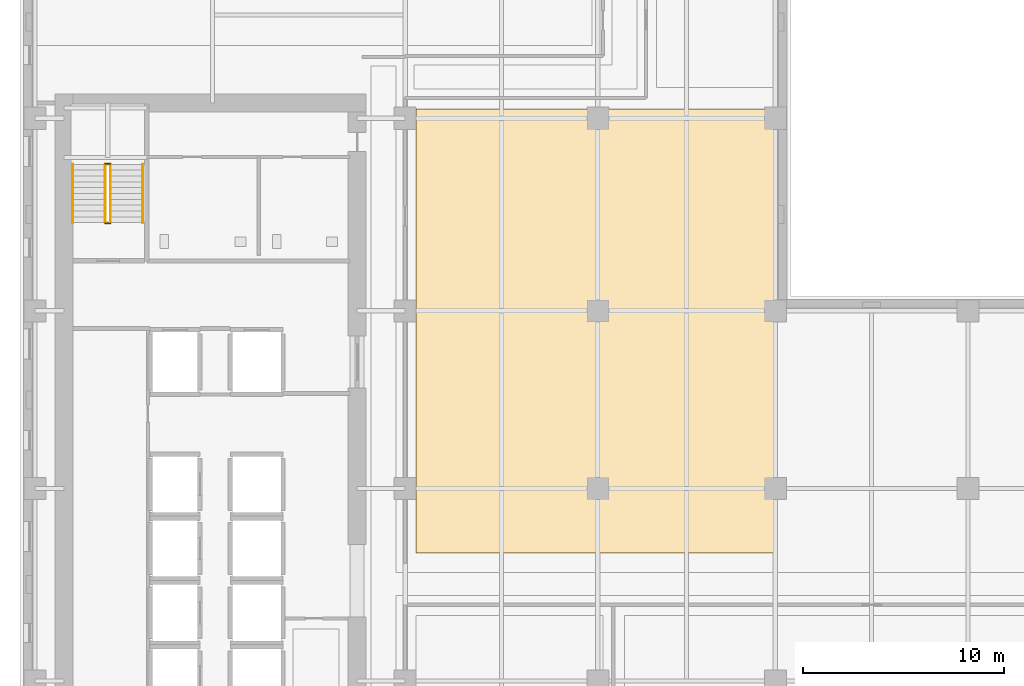
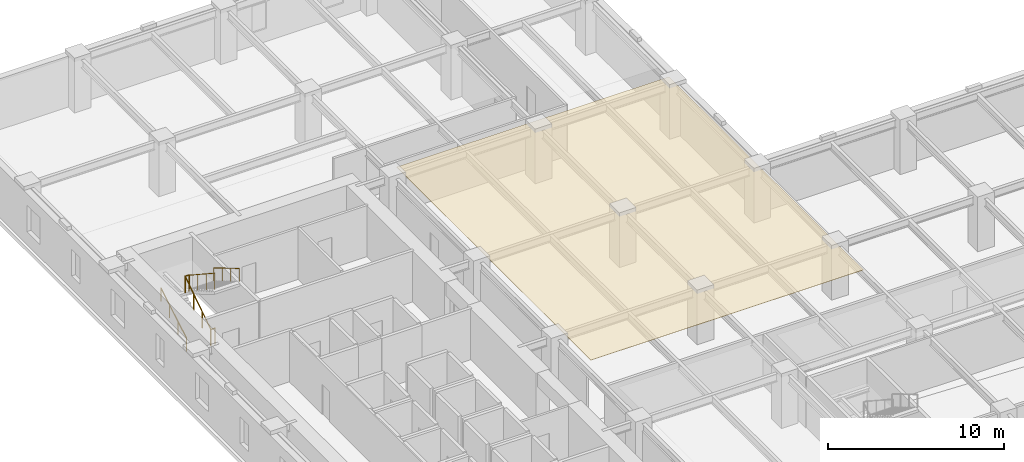
# One storey, part 11 of 13: 6 railings, 1 covering.
"""IFC4 building model written with IfcOpenShell, lengths in metres."""

import ifcopenshell
import ifcopenshell.guid

model = None  # the IFC model being written
_history = None  # IfcOwnerHistory: only IFC2X3 demands one
_inside = {}  # id of a spatial element -> (the spatial element, [elements in it])
_under = {}  # id of a project, library or spatial element -> (it, [spatial elements below it])
_declared = {}  # id of a project -> (the project, [libraries it declares])
_typed = {}  # id of a type object -> (the type object, [elements of that type])
_made_of = {}  # id of a material, layer set ... -> (it, [elements and type objects made of it])


def new_model(schema):
    """Start an empty IFC model of exactly this schema.

    Asked for "IFC4X3", IfcOpenShell would pick the latest addendum, in which some entities
    have other attributes; the version numbers below select the first issue.
    IFC2X3 requires an IfcOwnerHistory on every rooted entity: one is made here for all.
    """
    global model, _history
    if schema == "IFC4X3":
        model = ifcopenshell.file(schema_version=(4, 3, 0, 0))
    else:
        model = ifcopenshell.file(schema=schema)
    _inside.clear()
    _under.clear()
    _declared.clear()
    _typed.clear()
    _made_of.clear()
    _history = None
    if model.schema == "IFC2X3":
        org = make("IfcOrganization", Name="unknown")
        user = make(
            "IfcPersonAndOrganization",
            ThePerson=make("IfcPerson", FamilyName="unknown"),
            TheOrganization=org,
        )
        app = make(
            "IfcApplication",
            ApplicationDeveloper=org,
            Version="unknown",
            ApplicationFullName="unknown",
            ApplicationIdentifier="unknown",
        )
        _history = make(
            "IfcOwnerHistory",
            OwningUser=user,
            OwningApplication=app,
            ChangeAction="ADDED",
            CreationDate=0,
        )
    return model


def make(cls, **values):
    """One entity of the class cls with the attributes given. An attribute that is None is left unset."""
    return model.create_entity(
        cls, **{name: value for name, value in values.items() if value is not None}
    )


def rooted(cls, **values):
    """An entity with a GlobalId (a new one), such as an element, a storey or a relation."""
    return make(cls, GlobalId=ifcopenshell.guid.new(), OwnerHistory=_history, **values)


def si_unit(unit_type, name, prefix=None):
    """IfcSIUnit, for example si_unit("LENGTHUNIT", "METRE", prefix="MILLI")."""
    return make("IfcSIUnit", UnitType=unit_type, Prefix=prefix, Name=name)


def assignment(units):
    """IfcUnitAssignment: the units of a project."""
    return None if units is None else make("IfcUnitAssignment", Units=units)


def point(xyz):
    """IfcCartesianPoint."""
    return None if xyz is None else make("IfcCartesianPoint", Coordinates=xyz)


def direction(xyz):
    """IfcDirection."""
    return None if xyz is None else make("IfcDirection", DirectionRatios=xyz)


def frame(location, z_axis=None, x_axis=None):
    """IfcAxis2Placement3D, a coordinate frame: its origin and axes. An axis left out is left unset."""
    return make(
        "IfcAxis2Placement3D",
        Location=point(location),
        Axis=direction(z_axis),
        RefDirection=direction(x_axis),
    )


def frame_2d(location, x_axis=None):
    """IfcAxis2Placement2D, a coordinate frame in the plane: its origin and x axis."""
    return make(
        "IfcAxis2Placement2D", Location=point(location), RefDirection=direction(x_axis)
    )


def origin():
    """The frame at (0, 0, 0) with its axes left unset."""
    return frame((0.0, 0.0, 0.0))


def origin_2d():
    """The frame at (0, 0) in the plane with its x axis left unset."""
    return frame_2d((0.0, 0.0))


def place(relative_to, where):
    """IfcLocalPlacement: puts the frame where relative to a parent placement (None: the world)."""
    return make(
        "IfcLocalPlacement", PlacementRelTo=relative_to, RelativePlacement=where
    )


def context(
    kind, dimensions, precision=None, world=None, true_north=None, identifier=None
):
    """IfcGeometricRepresentationContext, for example the 3D "Model" context."""
    return make(
        "IfcGeometricRepresentationContext",
        ContextIdentifier=identifier,
        ContextType=kind,
        CoordinateSpaceDimension=dimensions,
        Precision=precision,
        WorldCoordinateSystem=world,
        TrueNorth=true_north,
    )


def subcontext(parent, identifier, kind, view, scale=None):
    """IfcGeometricRepresentationSubContext, for example "Body" below "Model"."""
    return make(
        "IfcGeometricRepresentationSubContext",
        ContextIdentifier=identifier,
        ContextType=kind,
        ParentContext=parent,
        TargetScale=scale,
        TargetView=view,
    )


def project(units=None, contexts=None):
    """IfcProject with its units and contexts."""
    return rooted(
        "IfcProject",
        Name="project",
        RepresentationContexts=contexts,
        UnitsInContext=assignment(units),
    )


def spatial(cls, under=None, at=None, **own):
    """A site, building, storey or space (cls), placed at a placement, below another one or the project."""
    s = rooted(cls, ObjectPlacement=at, **own)
    if under is not None:
        _under.setdefault(under.id(), (under, []))[1].append(s)
    return s


def polyline(points):
    """IfcPolyline through the points."""
    return make("IfcPolyline", Points=[point(p) for p in points])


def profile(cls, at=None, kind="AREA", **sizes):
    """A parametric profile (cls). Its sizes go by their IFC names, for example OverallWidth=200.0."""
    return make(cls, ProfileType=kind, Position=at, **sizes)


def circle(**sizes):
    """IfcCircleProfileDef."""
    return profile("IfcCircleProfileDef", **sizes)


def outline(outer, holes=None, kind="AREA"):
    """IfcArbitraryClosedProfileDef: a profile drawn as a closed curve; with holes, ...WithVoids."""
    if holes is None:
        return make("IfcArbitraryClosedProfileDef", ProfileType=kind, OuterCurve=outer)
    return make(
        "IfcArbitraryProfileDefWithVoids",
        ProfileType=kind,
        OuterCurve=outer,
        InnerCurves=holes,
    )


def extrude(swept, where, along, depth):
    """IfcExtrudedAreaSolid: the profile swept, set in the frame where, extruded along a direction by depth."""
    return make(
        "IfcExtrudedAreaSolid",
        SweptArea=swept,
        Position=where,
        ExtrudedDirection=direction(along),
        Depth=depth,
    )


def shape(context_of_items, identifier, shape_type, items):
    """IfcShapeRepresentation: the items that make up one representation, for example the "Body"."""
    return make(
        "IfcShapeRepresentation",
        ContextOfItems=context_of_items,
        RepresentationIdentifier=identifier,
        RepresentationType=shape_type,
        Items=items,
    )


def material(Name=None, Category=None):
    """IfcMaterial."""
    return make("IfcMaterial", Name=Name, Category=Category)


def layer(
    of_material, thickness, ventilated=None, Name=None, Category=None, Priority=None
):
    """IfcMaterialLayer: one layer of a wall or slab, of a material (None: an air gap)."""
    return make(
        "IfcMaterialLayer",
        Material=of_material,
        LayerThickness=thickness,
        IsVentilated=ventilated,
        Name=Name,
        Category=Category,
        Priority=Priority,
    )


def layer_set(layers, Name=None):
    """IfcMaterialLayerSet."""
    return make("IfcMaterialLayerSet", MaterialLayers=layers, LayerSetName=Name)


def made_of(thing, what):
    """Note that an element or type object is made of a material, layer set ...; save() writes the relation."""
    if what is not None:
        _made_of.setdefault(what.id(), (what, []))[1].append(thing)
    return thing


def type_object(cls, material=None, **own):
    """A type object (cls), such as IfcWallType, which elements share."""
    return made_of(rooted(cls, **own), material)


def element(
    cls,
    number,
    at=None,
    inside=None,
    cuts=None,
    type_object=None,
    material=None,
    context=None,
    identifier="Body",
    shape_type=None,
    held_by="IfcProductDefinitionShape",
    body=None,
    shapes=None,
    **own,
):
    """One element of the class cls, such as IfcWall. Its Tag is "e" and its number.

    at: its placement. inside: the storey or other place that contains it. cuts: it is an
    opening in that element (IfcRelVoidsElement). A single representation is given by context,
    identifier, shape_type and body (its items); several are given by shapes. held_by: the class
    of the entity that holds the representations. save() writes the other relations.
    """
    e = rooted(cls, Tag="e%d" % number, ObjectPlacement=at, **own)
    if body is not None:
        shapes = [shape(context, identifier, shape_type, body)]
    if shapes is not None:
        e.Representation = make(held_by, Representations=shapes)
    if inside is not None:
        _inside.setdefault(inside.id(), (inside, []))[1].append(e)
    if cuts is not None:
        rooted(
            "IfcRelVoidsElement", RelatingBuildingElement=cuts, RelatedOpeningElement=e
        )
    if type_object is not None:
        _typed.setdefault(type_object.id(), (type_object, []))[1].append(e)
    return made_of(e, material)


def aggregate(whole, parts):
    """IfcRelAggregates: a whole, such as a stair, and the parts it consists of."""
    return rooted("IfcRelAggregates", RelatingObject=whole, RelatedObjects=parts)


def save(model, path):
    """Write the relations noted so far, then the file.

    IfcRelAggregates (storeys below a building ...), IfcRelContainedInSpatialStructure (elements
    in a storey), IfcRelDefinesByType, IfcRelAssociatesMaterial and IfcRelDeclares: one each for
    every whole, place, type object, material and project.
    """
    for whole, parts in _under.values():
        aggregate(whole, parts)
    for where, things in _inside.values():
        rooted(
            "IfcRelContainedInSpatialStructure",
            RelatedElements=things,
            RelatingStructure=where,
        )
    for kind, things in _typed.values():
        rooted("IfcRelDefinesByType", RelatedObjects=things, RelatingType=kind)
    for what, things in _made_of.values():
        rooted("IfcRelAssociatesMaterial", RelatedObjects=things, RelatingMaterial=what)
    for by, libraries in _declared.values():
        rooted("IfcRelDeclares", RelatingContext=by, RelatedDefinitions=libraries)
    model.write(path)


model = new_model("IFC4")

# Units and contexts
model_context = context("Model", 3, precision=1e-05, world=origin(), true_north=direction((0.0, 1.0)))
body_context = subcontext(model_context, "Body", "Model", "MODEL_VIEW")
ifc_project = project(units=[si_unit("LENGTHUNIT", "METRE"), si_unit("AREAUNIT", "SQUARE_METRE"), si_unit("VOLUMEUNIT", "CUBIC_METRE"), si_unit("PLANEANGLEUNIT", "RADIAN"), si_unit("MASSUNIT", "GRAM", prefix="KILO")], contexts=[model_context])

# Site, building, storey
site_placement = place(None, origin())
site = spatial("IfcSite", under=ifc_project, at=site_placement, CompositionType="ELEMENT")
building_placement = place(site_placement, origin())
building = spatial("IfcBuilding", under=site, at=building_placement, Name="Norrvale University Quadrangle", CompositionType="ELEMENT")
storey_placement = place(building_placement, frame((0.0, 0.0, 77.39990234375)))
storey = spatial("IfcBuildingStorey", under=building, at=storey_placement, Name="L19", CompositionType="ELEMENT", Elevation=77.39990234375)

# Covering
ifc_material_1 = material(Name="Perforated Acoustic Mineral Ceiling")
ifc_layer = layer(ifc_material_1, 0.02490234375, Name="Perforated Acoustic Mineral Ceiling")
ifc_layer_set = layer_set([ifc_layer], Name="Perforated Acoustic Mineral Ceiling")
covering_type = type_object("IfcCoveringType", Name="Covering Acoustic Ceiling 25", PredefinedType="CEILING", material=ifc_layer_set)
covering_placement = place(storey_placement, frame((0.0, 0.0, 3.51513671875)))
element("IfcCovering", 1, at=covering_placement, inside=storey, type_object=covering_type, Name="Acoustic Ceiling RM-L19-MNE01", PredefinedType="CEILING", context=body_context, shape_type="SweptSolid", body=[
    extrude(outline(polyline([(19.72998046875, 47.719970703125), (37.64990234375, 47.719970703125), (37.64990234375, 25.580078125), (19.72998046875, 25.580078125), (19.72998046875, 47.719970703125)])), origin(), (0.0, 0.0, 1.0), 0.02490234375),
])

# Railings
ifc_material_2 = material(Name="Steel 350W Painted Balustrade", Category="steel")
railing_type_1 = type_object("IfcRailingType", Name="Railing Stair Guard 1100", PredefinedType="GUARDRAIL", material=ifc_material_2)
for number, where, name in (
    (2, (4.239990234375, 42.02001953125, 0.0), "Stair Floor Well Guard ST-02 L19"),
    (3, (4.239990234375, 44.97998046875, 1.900146484375), "Stair Mid-Landing Slot Guard ST-02 L19"),
):
    element("IfcRailing", number, at=place(storey_placement, frame(where)), inside=storey, type_object=railing_type_1, Name=name, PredefinedType="GUARDRAIL", context=body_context, shape_type="SweptSolid", body=[
        extrude(circle(Radius=0.02392578125, at=origin_2d()), frame((0.0, 0.0, 1.1259765625), z_axis=(1.0, 0.0, 0.0), x_axis=(0.0, 1.0, 0.0)), (0.0, 0.0, 1.0), 0.27001953125),
        extrude(circle(Radius=0.02099609375, at=origin_2d()), origin(), (0.0, 0.0, 1.0), 1.101806640625),
        extrude(circle(Radius=0.02099609375, at=origin_2d()), frame((0.27001953125, 0.0, 0.0)), (0.0, 0.0, 1.0), 1.101806640625),
    ])
railing_1_placement = place(storey_placement, frame((4.239990234375, 42.050048828125, 0.0)))
element("IfcRailing", 4, at=railing_1_placement, inside=storey, type_object=railing_type_1, Name="Stair Lower Flight Inner Guard ST-02 L19", PredefinedType="GUARDRAIL", context=body_context, shape_type="SweptSolid", body=[
    extrude(circle(Radius=0.02392578125, at=origin_2d()), frame((0.0, 0.0, 1.1259765625), z_axis=(0.0, 0.836433300813, 0.548068730445), x_axis=(-1.0, 0.0, 0.0)), (0.0, 0.0, 1.0), 3.467041015625),
    extrude(circle(Radius=0.02099609375, at=origin_2d()), origin(), (0.0, 0.0, 1.0), 1.101806640625),
    extrude(circle(Radius=0.02099609375, at=origin_2d()), frame((0.0, 0.966552734375, 0.63330078125)), (0.0, 0.0, 1.0), 1.101806640625),
    extrude(circle(Radius=0.02099609375, at=origin_2d()), frame((0.0, 1.933349609375, 1.266845703125)), (0.0, 0.0, 1.0), 1.101806640625),
    extrude(circle(Radius=0.02099609375, at=origin_2d()), frame((0.0, 2.89990234375, 1.900146484375)), (0.0, 0.0, 1.0), 1.101806640625),
])
railing_2_placement = place(storey_placement, frame((4.510009765625, 44.949951171875, 1.900146484375)))
element("IfcRailing", 5, at=railing_2_placement, inside=storey, type_object=railing_type_1, Name="Stair Upper Flight Inner Guard ST-02 L19", PredefinedType="GUARDRAIL", context=body_context, shape_type="SweptSolid", body=[
    extrude(circle(Radius=0.02392578125, at=origin_2d()), frame((0.0, 0.0, 1.1259765625), z_axis=(0.0, -0.836465582154, 0.548019461216), x_axis=(1.0, 0.0, 0.0)), (0.0, 0.0, 1.0), 3.466796875),
    extrude(circle(Radius=0.02099609375, at=origin_2d()), origin(), (0.0, 0.0, 1.0), 1.101806640625),
    extrude(circle(Radius=0.02099609375, at=origin_2d()), frame((0.0, -0.966552734375, 0.63330078125)), (0.0, 0.0, 1.0), 1.101806640625),
    extrude(circle(Radius=0.02099609375, at=origin_2d()), frame((0.0, -1.933349609375, 1.2666015625)), (0.0, 0.0, 1.0), 1.101806640625),
    extrude(circle(Radius=0.02099609375, at=origin_2d()), frame((0.0, -2.89990234375, 1.89990234375)), (0.0, 0.0, 1.0), 1.101806640625),
])
ifc_material_3 = material(Name="Stainless Steel 316L Handrail", Category="steel")
railing_type_2 = type_object("IfcRailingType", Name="Railing Stair Handrail 920", PredefinedType="HANDRAIL", material=ifc_material_3)
railing_3_placement = place(storey_placement, frame((2.639892578125, 42.050048828125, 0.1728515625)))
element("IfcRailing", 6, at=railing_3_placement, inside=storey, type_object=railing_type_2, Name="Stair Lower Flight Handrail ST-02 L19", PredefinedType="HANDRAIL", context=body_context, shape_type="SweptSolid", body=[
    extrude(circle(Radius=0.02392578125, at=origin_2d()), frame((0.0, 0.0, 0.89599609375), z_axis=(0.0, 0.859141464434, 0.511738159696), x_axis=(-1.0, 0.0, 0.0)), (0.0, 0.0, 1.0), 3.375244140625),
    extrude(circle(Radius=0.02099609375, at=origin_2d()), origin(), (0.0, 0.0, 1.0), 0.871826171875),
    extrude(circle(Radius=0.02099609375, at=origin_2d()), frame((0.0, 0.966552734375, 0.57568359375)), (0.0, 0.0, 1.0), 0.871826171875),
    extrude(circle(Radius=0.02099609375, at=origin_2d()), frame((0.0, 1.933349609375, 1.151611328125)), (0.0, 0.0, 1.0), 0.871826171875),
    extrude(circle(Radius=0.02099609375, at=origin_2d()), frame((0.0, 2.89990234375, 1.727294921875)), (0.0, 0.0, 1.0), 0.871826171875),
])
railing_4_placement = place(storey_placement, frame((6.110107421875, 44.949951171875, 2.07275390625)))
element("IfcRailing", 7, at=railing_4_placement, inside=storey, type_object=railing_type_2, Name="Stair Upper Flight Handrail ST-02 L19", PredefinedType="HANDRAIL", context=body_context, shape_type="SweptSolid", body=[
    extrude(circle(Radius=0.02392578125, at=origin_2d()), frame((0.0, 0.0, 0.89599609375), z_axis=(0.0, -0.859141464434, 0.511738159696), x_axis=(1.0, 0.0, 0.0)), (0.0, 0.0, 1.0), 3.375244140625),
    extrude(circle(Radius=0.02099609375, at=origin_2d()), origin(), (0.0, 0.0, 1.0), 0.871826171875),
    extrude(circle(Radius=0.02099609375, at=origin_2d()), frame((0.0, -0.966552734375, 0.57568359375)), (0.0, 0.0, 1.0), 0.871826171875),
    extrude(circle(Radius=0.02099609375, at=origin_2d()), frame((0.0, -1.933349609375, 1.151611328125)), (0.0, 0.0, 1.0), 0.871826171875),
    extrude(circle(Radius=0.02099609375, at=origin_2d()), frame((0.0, -2.89990234375, 1.727294921875)), (0.0, 0.0, 1.0), 0.871826171875),
])

save(model, "model.ifc")
